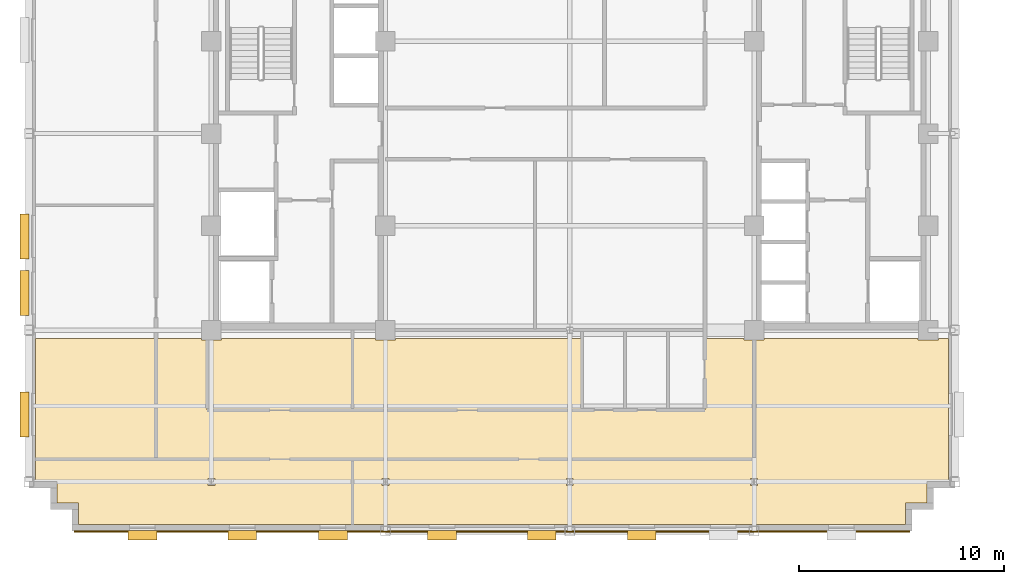
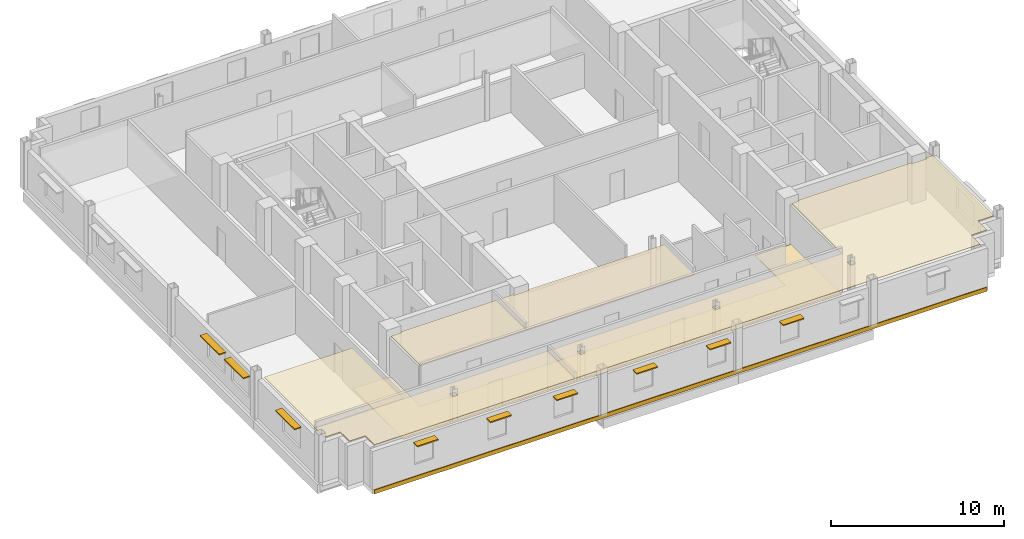
# One storey, part 10 of 13: 9 shading devices, 7 coverings.
"""IFC4 building model written with IfcOpenShell, lengths in metres."""

from ifc_helpers import new_model, si_unit, direction, frame, origin, origin_2d, place, context, subcontext, project, spatial, polyline, rectangle, outline, extrude, source, transform, mapped, material, layer, layer_set, type_object, type_shapes, element, save


model = new_model("IFC4")

# Units and contexts
model_context = context("Model", 3, precision=1e-05, world=origin(), true_north=direction((0.0, 1.0)))
body_context = subcontext(model_context, "Body", "Model", "MODEL_VIEW")
ifc_project = project(units=[si_unit("LENGTHUNIT", "METRE"), si_unit("AREAUNIT", "SQUARE_METRE"), si_unit("VOLUMEUNIT", "CUBIC_METRE"), si_unit("PLANEANGLEUNIT", "RADIAN"), si_unit("MASSUNIT", "GRAM", prefix="KILO")], contexts=[model_context])

# Site, building, storey
site_placement = place(None, origin())
site = spatial("IfcSite", under=ifc_project, at=site_placement, CompositionType="ELEMENT")
building_placement = place(site_placement, origin())
building = spatial("IfcBuilding", under=site, at=building_placement, Name="Nuvemarco Arch Tower", CompositionType="ELEMENT")
storey_placement = place(building_placement, frame((0.0, 0.0, 220.10009765625)))
storey = spatial("IfcBuildingStorey", under=building, at=storey_placement, Name="L58", CompositionType="ELEMENT", Elevation=220.10009765625)

# Coverings
ifc_material_1 = material(Name="Mineral acoustic ceiling tile")
ifc_layer_1 = layer(ifc_material_1, 0.0400390625, Name="COV-ACOUSTIC-CLG")
ifc_layer_set_1 = layer_set([ifc_layer_1], Name="Mineral acoustic ceiling tile")
covering_type_1 = type_object("IfcCoveringType", Name="COV-ACOUSTIC-CLG", PredefinedType="CEILING", material=ifc_layer_set_1)
covering_1_placement = place(storey_placement, frame((0.0, 0.0, 2.849853515625)))
element("IfcCovering", 1, at=covering_1_placement, inside=storey, type_object=covering_type_1, Name="L58 suspended acoustic ceiling 1", PredefinedType="CEILING", context=body_context, shape_type="SweptSolid", body=[
    extrude(outline(polyline([(-10.610107421875, -15.89990234375), (6.60009765625, -15.89990234375), (9.0, -15.89990234375), (9.0, -13.5), (9.0, -10.090087890625), (9.489990234375, -10.090087890625), (9.489990234375, -10.0), (17.010009765625, -10.0), (17.010009765625, -10.090087890625), (17.989990234375, -10.090087890625), (17.989990234375, -10.0), (18.489990234375, -10.0), (18.489990234375, -16.989990234375), (17.43994140625, -16.989990234375), (17.43994140625, -18.0400390625), (16.389892578125, -18.0400390625), (16.389892578125, -19.090087890625), (-10.610107421875, -19.090087890625), (-10.610107421875, -15.89990234375)]), holes=[polyline([(-8.830078125, -16.830078125), (-9.169921875, -16.830078125), (-9.169921875, -17.169921875), (-8.830078125, -17.169921875), (-8.830078125, -16.830078125)]), polyline([(0.169921875, -17.169921875), (0.169921875, -16.830078125), (-0.169921875, -16.830078125), (-0.169921875, -17.169921875), (0.169921875, -17.169921875)]), polyline([(9.169921875, -17.169921875), (9.169921875, -16.830078125), (8.830078125, -16.830078125), (8.830078125, -17.169921875), (9.169921875, -17.169921875)])]), origin(), (0.0, 0.0, 1.0), 0.0400390625),
])
covering_2_placement = place(storey_placement, frame((0.0, 0.0, 2.849853515625)))
element("IfcCovering", 2, at=covering_2_placement, inside=storey, type_object=covering_type_1, Name="L58 suspended acoustic ceiling 4", PredefinedType="CEILING", context=body_context, shape_type="SweptSolid", body=[
    extrude(outline(polyline([(-20.199951171875, -15.89990234375), (-26.090087890625, -15.89990234375), (-26.090087890625, -10.0), (-20.199951171875, -10.0), (-20.199951171875, -13.5), (-20.199951171875, -15.89990234375)])), origin(), (0.0, 0.0, 1.0), 0.0400390625),
])
covering_3_placement = place(storey_placement, frame((0.0, 0.0, 2.849853515625)))
element("IfcCovering", 3, at=covering_3_placement, inside=storey, type_object=covering_type_1, Name="L58 suspended acoustic ceiling 6", PredefinedType="CEILING", context=body_context, shape_type="SweptSolid", body=[
    extrude(outline(polyline([(-26.090087890625, -16.989990234375), (-26.090087890625, -15.89990234375), (-20.199951171875, -15.89990234375), (-17.699951171875, -15.89990234375), (-10.610107421875, -15.89990234375), (-10.610107421875, -19.090087890625), (-23.989990234375, -19.090087890625), (-23.989990234375, -18.0400390625), (-25.0400390625, -18.0400390625), (-25.0400390625, -16.989990234375), (-26.090087890625, -16.989990234375)]), holes=[polyline([(-17.330078125, -16.830078125), (-17.669921875, -16.830078125), (-17.669921875, -17.169921875), (-17.330078125, -17.169921875), (-17.330078125, -16.830078125)])]), origin(), (0.0, 0.0, 1.0), 0.0400390625),
])
covering_4_placement = place(storey_placement, frame((0.0, 0.0, 2.849853515625)))
element("IfcCovering", 4, at=covering_4_placement, inside=storey, type_object=covering_type_1, Name="L58 suspended acoustic ceiling 8", PredefinedType="CEILING", context=body_context, shape_type="SweptSolid", body=[
    extrude(outline(polyline([(0.60009765625, -13.5), (-10.610107421875, -13.5), (-10.610107421875, -10.0), (-9.489990234375, -10.0), (-9.489990234375, -10.090087890625), (-8.510009765625, -10.090087890625), (-8.510009765625, -10.0), (0.60009765625, -10.0), (0.60009765625, -13.5)])), origin(), (0.0, 0.0, 1.0), 0.0400390625),
])
covering_5_placement = place(storey_placement, frame((0.0, 0.0, 2.849853515625)))
element("IfcCovering", 5, at=covering_5_placement, inside=storey, type_object=covering_type_1, Name="L58 suspended acoustic ceiling 9", PredefinedType="CEILING", context=body_context, shape_type="SweptSolid", body=[
    extrude(outline(polyline([(-10.610107421875, -13.5), (-17.699951171875, -13.5), (-17.699951171875, -10.090087890625), (-17.010009765625, -10.090087890625), (-17.010009765625, -10.0), (-10.610107421875, -10.0), (-10.610107421875, -13.5)])), origin(), (0.0, 0.0, 1.0), 0.0400390625),
])
ifc_material_2 = material(Name="Polished granite terrazzostone flooring", Category="masonry")
ifc_layer_2 = layer(ifc_material_2, 0.02001953125, Name="COV-LOBBY-FLR")
ifc_layer_set_2 = layer_set([ifc_layer_2], Name="Polished granite terrazzostone flooring")
covering_type_2 = type_object("IfcCoveringType", Name="COV-LOBBY-FLR", PredefinedType="FLOORING", material=ifc_layer_set_2)
covering_6_placement = place(storey_placement, origin())
element("IfcCovering", 6, at=covering_6_placement, inside=storey, type_object=covering_type_2, Name="L58 polished terrazzo lobby flooring", PredefinedType="FLOORING", context=body_context, shape_type="SweptSolid", body=[
    extrude(outline(polyline([(-20.199951171875, -10.0), (-17.989990234375, -10.0), (-17.989990234375, -10.090087890625), (-17.699951171875, -10.090087890625), (-17.699951171875, -13.5), (6.60009765625, -13.5), (6.60009765625, -10.0), (8.510009765625, -10.0), (8.510009765625, -10.090087890625), (9.0, -10.090087890625), (9.0, -13.5), (9.0, -15.89990234375), (6.60009765625, -15.89990234375), (-17.699951171875, -15.89990234375), (-20.199951171875, -15.89990234375), (-20.199951171875, -13.5), (-20.199951171875, -10.0)])), origin(), (0.0, 0.0, 1.0), 0.02001953125),
])

# Shading devices
ifc_material_3 = material(Name="Anodised aluminium 6063-T6", Category="aluminium")
shading_device_type_1 = type_object("IfcShadingDeviceType", Name="SHD-BRISE-SOLEIL", PredefinedType="USERDEFINED", material=ifc_material_3)
shared_shape_1 = source(origin(), body_context, "Body", "SweptSolid", [
    extrude(rectangle(XDim=2.199951171875, YDim=0.449951171875, at=origin_2d()), origin(), (0.0, 0.0, 1.0), 0.080078125),
])
type_shapes(shading_device_type_1, [shared_shape_1])
for number, where, z_axis, x_axis, name in (
    (7, (-26.614990234375, -13.708984375, 2.324951171875), (0.0, 0.0, 1.0), (0.0, 1.0, 0.0), "L58 horizontal brise-soleil sunshade"),
    (8, (-26.614990234375, -7.789306640625, 2.324951171875), (0.0, 0.0, 1.0), (0.0, 1.0, 0.0), "L58 horizontal brise-soleil sunshade"),
    (9, (-26.614990234375, -5.019775390625, 2.324951171875), (0.0, 0.0, 1.0), (0.0, 1.0, 0.0), "L58 horizontal brise-soleil sunshade"),
):
    element("IfcShadingDevice", number, at=place(storey_placement, frame(where, z_axis=z_axis, x_axis=x_axis)), inside=storey, type_object=shading_device_type_1, Name=name, ObjectType="SUNSHADE", PredefinedType="USERDEFINED", context=body_context, shape_type="MappedRepresentation", body=[
        mapped(shared_shape_1, transform((0.0, 0.0, 0.0), scale=1.0)),
    ])
shading_device_type_2 = type_object("IfcShadingDeviceType", Name="SHD-BRISE-NARROW", PredefinedType="USERDEFINED", material=ifc_material_3)
shared_shape_2 = source(origin(), body_context, "Body", "SweptSolid", [
    extrude(rectangle(XDim=1.39990234375, YDim=0.449951171875, at=origin_2d()), origin(), (0.0, 0.0, 1.0), 0.080078125),
])
type_shapes(shading_device_type_2, [shared_shape_2])
for number, where, z_axis, x_axis, name in (
    (10, (-20.862548828125, -19.614990234375, 2.324951171875), (0.0, 0.0, 1.0), (1.0, 0.0, 0.0), "L58 horizontal brise-soleil sunshade"),
    (11, (-15.987548828125, -19.614990234375, 2.324951171875), (0.0, 0.0, 1.0), (1.0, 0.0, 0.0), "L58 horizontal brise-soleil sunshade"),
    (12, (-11.5625, -19.614990234375, 2.324951171875), (0.0, 0.0, 1.0), (1.0, 0.0, 0.0), "L58 horizontal brise-soleil sunshade"),
    (13, (-6.237548828125, -19.614990234375, 2.324951171875), (0.0, 0.0, 1.0), (1.0, 0.0, 0.0), "L58 horizontal brise-soleil sunshade"),
    (14, (-1.362548828125, -19.614990234375, 2.324951171875), (0.0, 0.0, 1.0), (1.0, 0.0, 0.0), "L58 horizontal brise-soleil sunshade"),
    (15, (3.512451171875, -19.614990234375, 2.324951171875), (0.0, 0.0, 1.0), (1.0, 0.0, 0.0), "L58 horizontal brise-soleil sunshade"),
):
    element("IfcShadingDevice", number, at=place(storey_placement, frame(where, z_axis=z_axis, x_axis=x_axis)), inside=storey, type_object=shading_device_type_2, Name=name, ObjectType="SUNSHADE", PredefinedType="USERDEFINED", context=body_context, shape_type="MappedRepresentation", body=[
        mapped(shared_shape_2, transform((0.0, 0.0, 0.0), scale=1.0)),
    ])

# Covering
ifc_material_4 = material(Name="Precast concrete C45/55", Category="concrete")
ifc_layer_3 = layer(ifc_material_4, 0.06005859375, Name="COV-SPANDREL-CLAD")
ifc_layer_set_3 = layer_set([ifc_layer_3], Name="Precast concrete C45/55")
covering_type_3 = type_object("IfcCoveringType", Name="COV-SPANDREL-CLAD", PredefinedType="CLADDING", material=ifc_layer_set_3)
shared_shape_3 = source(origin(), body_context, "Body", "SweptSolid", [
    extrude(rectangle(XDim=40.800048828125, YDim=0.06005859375, at=origin_2d()), origin(), (0.0, 0.0, 1.0), 0.280029296875),
])
type_shapes(covering_type_3, [shared_shape_3])
covering_7_placement = place(storey_placement, frame((-3.800048828125, -19.428955078125, -0.2802734375), z_axis=(0.0, 0.0, 1.0), x_axis=(1.0, 0.0, 0.0)))
element("IfcCovering", 16, at=covering_7_placement, inside=storey, type_object=covering_type_3, Name="L58 precast spandrel edge cladding south", PredefinedType="CLADDING", context=body_context, shape_type="MappedRepresentation", body=[
    mapped(shared_shape_3, transform((0.0, 0.0, 0.0), scale=1.0)),
])

save(model, "model.ifc")
